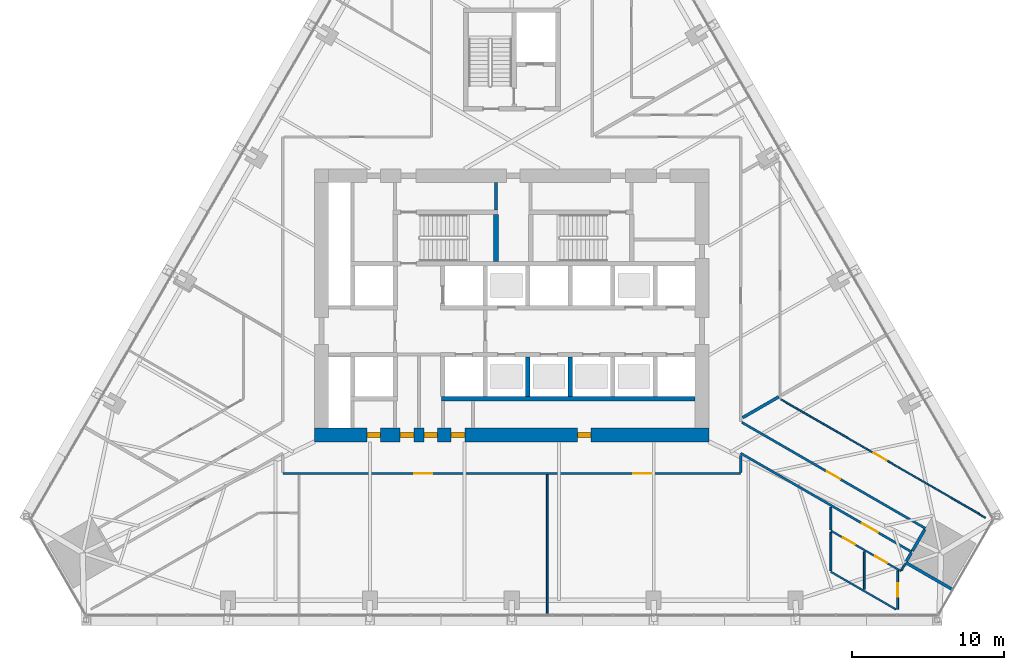
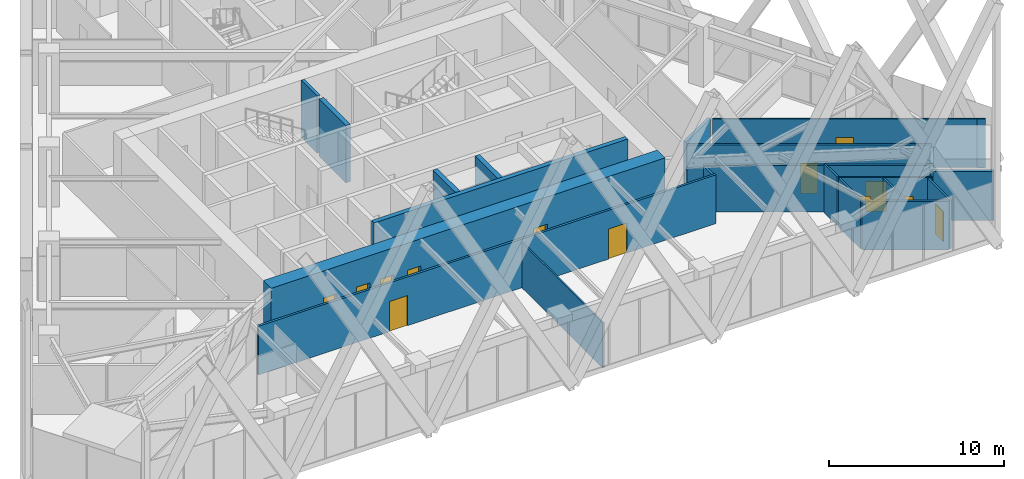
# One storey, part 16 of 21: 24 walls, 13 doors, 13 openings.
"""IFC4 building model written with IfcOpenShell, lengths in metres."""

from ifc_helpers import new_model, si_unit, direction, frame, frame_2d, origin, place, context, subcontext, project, spatial, rectangle, extrude, material, layer, layer_set, type_object, element, fill, save


model = new_model("IFC4")

# Units and contexts
model_context = context("Model", 3, precision=1e-05, world=origin(), true_north=direction((0.0, 1.0)))
body_context = subcontext(model_context, "Body", "Model", "MODEL_VIEW")
ifc_project = project(units=[si_unit("LENGTHUNIT", "METRE"), si_unit("AREAUNIT", "SQUARE_METRE"), si_unit("VOLUMEUNIT", "CUBIC_METRE"), si_unit("PLANEANGLEUNIT", "RADIAN"), si_unit("MASSUNIT", "GRAM", prefix="KILO")], contexts=[model_context])

# Site, building, storey
site_placement = place(None, origin())
site = spatial("IfcSite", under=ifc_project, at=site_placement, CompositionType="ELEMENT")
building_placement = place(site_placement, origin())
building = spatial("IfcBuilding", under=site, at=building_placement, Name="Firuza Gate Tower and Library", CompositionType="ELEMENT")
storey_placement = place(building_placement, frame((0.0, 0.0, 107.199951171875)))
storey = spatial("IfcBuildingStorey", under=building, at=storey_placement, Name="L24", CompositionType="ELEMENT", Elevation=107.199951171875)

# Walls
ifc_material_1 = material(Name="Plasterboard on steel studs", Category="steel")
ifc_layer_1 = layer(ifc_material_1, 0.199951171875)
ifc_layer_set_1 = layer_set([ifc_layer_1], Name="Core partition 200 EI 60")
wall_type_1 = type_object("IfcWallType", Name="Core partition 200 EI 60", PredefinedType="PARTITIONING", material=ifc_layer_set_1)
wall_1_placement = place(storey_placement, frame((73.9599609375, 81.280029296875, 0.0), z_axis=(0.0, 0.0, 1.0), x_axis=(0.0, 1.0, 0.0)))
element("IfcWall", 1, at=wall_1_placement, inside=storey, type_object=wall_type_1, Name="Core partition L24 14", PredefinedType="PARTITIONING", context=body_context, shape_type="SweptSolid", body=[
    extrude(rectangle(XDim=1.820068359375, YDim=0.199951171875, at=frame_2d((0.91015625, 0.0))), origin(), (0.0, 0.0, 1.0), 4.0),
])
ifc_material_2 = material(Name="Concrete C80/95", Category="concrete")
ifc_layer_2 = layer(ifc_material_2, 0.300048828125)
ifc_layer_set_2 = layer_set([ifc_layer_2], Name="Core wall 300 C80/95")
wall_type_2 = type_object("IfcWallType", Name="Core wall 300 C80/95", PredefinedType="SHEAR", material=ifc_layer_set_2)
wall_2_placement = place(storey_placement, frame((70.35009765625, 68.85009765625, 0.0), z_axis=(0.0, 0.0, 1.0), x_axis=(1.0, 0.0, 0.0)))
element("IfcWall", 2, at=wall_2_placement, inside=storey, type_object=wall_type_2, Name="Core wall L24 6", PredefinedType="SHEAR", context=body_context, shape_type="SweptSolid", body=[
    extrude(rectangle(XDim=16.75, YDim=0.300048828125, at=frame_2d((8.375, 0.0))), origin(), (0.0, 0.0, 1.0), 4.0),
])
for number, where, z_axis, x_axis, name in (
    (3, (76.050048828125, 69.0, 0.0), (0.0, 0.0, 1.0), (0.0, 1.0, 0.0), "Core wall L24 19"),
    (4, (78.85009765625, 69.0, 0.0), (0.0, 0.0, 1.0), (0.0, 1.0, 0.0), "Core wall L24 21"),
):
    element("IfcWall", number, at=place(storey_placement, frame(where, z_axis=z_axis, x_axis=x_axis)), inside=storey, type_object=wall_type_2, Name=name, PredefinedType="SHEAR", context=body_context, shape_type="SweptSolid", body=[
        extrude(rectangle(XDim=2.60009765625, YDim=0.300048828125, at=frame_2d((1.300048828125, 0.0))), origin(), (0.0, 0.0, 1.0), 4.0),
    ])
wall_3_placement = place(storey_placement, frame((73.9599609375, 77.89990234375, 0.0), z_axis=(0.0, 0.0, 1.0), x_axis=(0.0, 1.0, 0.0)))
element("IfcWall", 5, at=wall_3_placement, inside=storey, type_object=wall_type_2, Name="Core wall L24 31", PredefinedType="SHEAR", context=body_context, shape_type="SweptSolid", body=[
    extrude(rectangle(XDim=3.080078125, YDim=0.300048828125, at=frame_2d((1.5400390625, 0.0))), origin(), (0.0, 0.0, 1.0), 4.0),
])

# Wall, openings, doors
ifc_material_3 = material(Name="Concrete C80/95", Category="concrete")
ifc_layer_3 = layer(ifc_material_3, 0.89990234375)
ifc_layer_set_3 = layer_set([ifc_layer_3], Name="Core wall 900 C80/95")
wall_type_3 = type_object("IfcWallType", Name="Core wall 900 C80/95", PredefinedType="SHEAR", material=ifc_layer_set_3)
wall_4_placement = place(storey_placement, frame((62.0, 66.449951171875, 0.0), z_axis=(0.0, 0.0, 1.0), x_axis=(1.0, 0.0, 0.0)))
wall_4 = element("IfcWall", 6, at=wall_4_placement, inside=storey, type_object=wall_type_3, Name="Core wall L24 1", PredefinedType="SHEAR", context=body_context, shape_type="SweptSolid", body=[
    extrude(rectangle(XDim=26.0, YDim=0.89990234375, at=frame_2d((13.0, 0.0))), origin(), (0.0, 0.0, 1.0), 4.0),
])
opening_1_placement = place(wall_4_placement, frame((3.449951171875, 0.0, 0.0)))
opening_1 = element("IfcOpeningElement", 7, at=opening_1_placement, cuts=wall_4, Name="Opening L24-K24", PredefinedType="OPENING", context=body_context, shape_type="SweptSolid", body=[
    extrude(rectangle(XDim=0.89990234375, YDim=2.10009765625, at=frame_2d((0.449951171875, 1.050048828125))), frame((0.0, 0.4599609375, 0.0), z_axis=(0.0, -1.0, 0.0), x_axis=(1.0, 0.0, 0.0)), (0.0, 0.0, 1.0), 0.919921875),
])
opening_2_placement = place(wall_4_placement, frame((5.637451171875, 0.0, 0.0)))
opening_2 = element("IfcOpeningElement", 8, at=opening_2_placement, cuts=wall_4, Name="Opening L24-K25", PredefinedType="OPENING", context=body_context, shape_type="SweptSolid", body=[
    extrude(rectangle(XDim=0.89990234375, YDim=2.10009765625, at=frame_2d((0.449951171875, 1.050048828125))), frame((0.0, 0.4599609375, 0.0), z_axis=(0.0, -1.0, 0.0), x_axis=(1.0, 0.0, 0.0)), (0.0, 0.0, 1.0), 0.919921875),
])
opening_3_placement = place(wall_4_placement, frame((7.21240234375, 0.0, 0.0)))
opening_3 = element("IfcOpeningElement", 9, at=opening_3_placement, cuts=wall_4, Name="Opening L24-K26", PredefinedType="OPENING", context=body_context, shape_type="SweptSolid", body=[
    extrude(rectangle(XDim=0.89990234375, YDim=2.10009765625, at=frame_2d((0.449951171875, 1.050048828125))), frame((0.0, 0.4599609375, 0.0), z_axis=(0.0, -1.0, 0.0), x_axis=(1.0, 0.0, 0.0)), (0.0, 0.0, 1.0), 0.919921875),
])
opening_4_placement = place(wall_4_placement, frame((8.9990234375, 0.0, 0.0)))
opening_4 = element("IfcOpeningElement", 10, at=opening_4_placement, cuts=wall_4, Name="Opening L24-K27", PredefinedType="OPENING", context=body_context, shape_type="SweptSolid", body=[
    extrude(rectangle(XDim=0.89990234375, YDim=2.10009765625, at=frame_2d((0.449951171875, 1.050048828125))), frame((0.0, 0.4599609375, 0.0), z_axis=(0.0, -1.0, 0.0), x_axis=(1.0, 0.0, 0.0)), (0.0, 0.0, 1.0), 0.919921875),
])
opening_5_placement = place(wall_4_placement, frame((17.323974609375, 0.0, 0.0)))
opening_5 = element("IfcOpeningElement", 11, at=opening_5_placement, cuts=wall_4, Name="Opening L24-K28", PredefinedType="OPENING", context=body_context, shape_type="SweptSolid", body=[
    extrude(rectangle(XDim=0.89990234375, YDim=2.10009765625, at=frame_2d((0.449951171875, 1.050048828125))), frame((0.0, 0.4599609375, 0.0), z_axis=(0.0, -1.0, 0.0), x_axis=(1.0, 0.0, 0.0)), (0.0, 0.0, 1.0), 0.919921875),
])
ifc_material_4 = material(Name="Steel", Category="steel")
door_type_1 = type_object("IfcDoorType", Name="Fire door 900x2100 FD30S", OperationType="NOTDEFINED", PredefinedType="DOOR", material=ifc_material_4)
door_1_placement = place(opening_1_placement, origin())
door_1 = element("IfcDoor", 12, at=door_1_placement, inside=storey, type_object=door_type_1, Name="Door L24-K24", OperationType="SINGLE_SWING_LEFT", OverallHeight=2.10009765625, OverallWidth=0.89990234375, PredefinedType="DOOR", context=body_context, shape_type="SweptSolid", body=[
    extrude(rectangle(XDim=0.89990234375, YDim=2.10009765625, at=frame_2d((0.449951171875, 1.050048828125))), frame((0.0, 0.169921875, 0.0), z_axis=(0.0, -1.0, 0.0), x_axis=(1.0, 0.0, 0.0)), (0.0, 0.0, 1.0), 0.33984375),
])
fill(opening_1, door_1)
door_2_placement = place(opening_2_placement, origin())
door_2 = element("IfcDoor", 13, at=door_2_placement, inside=storey, type_object=door_type_1, Name="Door L24-K25", OperationType="SINGLE_SWING_RIGHT", OverallHeight=2.10009765625, OverallWidth=0.89990234375, PredefinedType="DOOR", context=body_context, shape_type="SweptSolid", body=[
    extrude(rectangle(XDim=0.89990234375, YDim=2.10009765625, at=frame_2d((0.449951171875, 1.050048828125))), frame((0.0, 0.169921875, 0.0), z_axis=(0.0, -1.0, 0.0), x_axis=(1.0, 0.0, 0.0)), (0.0, 0.0, 1.0), 0.33984375),
])
fill(opening_2, door_2)
door_3_placement = place(opening_3_placement, origin())
door_3 = element("IfcDoor", 14, at=door_3_placement, inside=storey, type_object=door_type_1, Name="Door L24-K26", OperationType="SINGLE_SWING_LEFT", OverallHeight=2.10009765625, OverallWidth=0.89990234375, PredefinedType="DOOR", context=body_context, shape_type="SweptSolid", body=[
    extrude(rectangle(XDim=0.89990234375, YDim=2.10009765625, at=frame_2d((0.449951171875, 1.050048828125))), frame((0.0, 0.169921875, 0.0), z_axis=(0.0, -1.0, 0.0), x_axis=(1.0, 0.0, 0.0)), (0.0, 0.0, 1.0), 0.33984375),
])
fill(opening_3, door_3)
door_4_placement = place(opening_4_placement, origin())
door_4 = element("IfcDoor", 15, at=door_4_placement, inside=storey, type_object=door_type_1, Name="Door L24-K27", OperationType="SINGLE_SWING_RIGHT", OverallHeight=2.10009765625, OverallWidth=0.89990234375, PredefinedType="DOOR", context=body_context, shape_type="SweptSolid", body=[
    extrude(rectangle(XDim=0.89990234375, YDim=2.10009765625, at=frame_2d((0.449951171875, 1.050048828125))), frame((0.0, 0.169921875, 0.0), z_axis=(0.0, -1.0, 0.0), x_axis=(1.0, 0.0, 0.0)), (0.0, 0.0, 1.0), 0.33984375),
])
fill(opening_4, door_4)
door_5_placement = place(opening_5_placement, origin())
door_5 = element("IfcDoor", 16, at=door_5_placement, inside=storey, type_object=door_type_1, Name="Door L24-K28", OperationType="SINGLE_SWING_LEFT", OverallHeight=2.10009765625, OverallWidth=0.89990234375, PredefinedType="DOOR", context=body_context, shape_type="SweptSolid", body=[
    extrude(rectangle(XDim=0.89990234375, YDim=2.10009765625, at=frame_2d((0.449951171875, 1.050048828125))), frame((0.0, 0.169921875, 0.0), z_axis=(0.0, -1.0, 0.0), x_axis=(1.0, 0.0, 0.0)), (0.0, 0.0, 1.0), 0.33984375),
])
fill(opening_5, door_5)

ifc_material_5 = material(Name="Gypsum board partition")
ifc_layer_4 = layer(ifc_material_5, 0.14990234375)
ifc_layer_set_4 = layer_set([ifc_layer_4], Name="Corridor wall 150 double board on steel studs")
wall_type_4 = type_object("IfcWallType", Name="Corridor wall 150 double board on steel studs", PredefinedType="PARTITIONING", material=ifc_layer_set_4)
wall_5_placement = place(storey_placement, frame((90.099365234375, 63.89990234375, 0.0), z_axis=(0.0, 0.0, 1.0), x_axis=(-1.0, 0.0, 0.0)))
wall_5 = element("IfcWall", 17, at=wall_5_placement, inside=storey, type_object=wall_type_4, Name="f:L24:w001", PredefinedType="PARTITIONING", context=body_context, shape_type="SweptSolid", body=[
    extrude(rectangle(XDim=30.19873046875, YDim=0.14990234375, at=frame_2d((15.099365234375, 0.0))), origin(), (0.0, 0.0, 1.0), 3.400146484375),
])
opening_6_placement = place(wall_5_placement, frame((5.882080078125, 0.0, 0.0)))
opening_6 = element("IfcOpeningElement", 18, at=opening_6_placement, cuts=wall_5, Name="Opening L24-02", PredefinedType="OPENING", context=body_context, shape_type="SweptSolid", body=[
    extrude(rectangle(XDim=1.199951171875, YDim=2.10009765625, at=frame_2d((0.60009765625, 1.050048828125))), frame((0.0, 0.0849609375, 0.0), z_axis=(0.0, -1.0, 0.0), x_axis=(1.0, 0.0, 0.0)), (0.0, 0.0, 1.0), 0.169921875),
])
opening_7_placement = place(wall_5_placement, frame((20.345947265625, 0.0, 0.0)))
opening_7 = element("IfcOpeningElement", 19, at=opening_7_placement, cuts=wall_5, Name="Opening L24-03", PredefinedType="OPENING", context=body_context, shape_type="SweptSolid", body=[
    extrude(rectangle(XDim=1.199951171875, YDim=2.10009765625, at=frame_2d((0.60009765625, 1.050048828125))), frame((0.0, 0.0849609375, 0.0), z_axis=(0.0, -1.0, 0.0), x_axis=(1.0, 0.0, 0.0)), (0.0, 0.0, 1.0), 0.169921875),
])
ifc_material_6 = material(Name="Steel door and timber leaf", Category="steel")
door_type_2 = type_object("IfcDoorType", Name="Fire door 1200 x 2100 steel frame, double leaf", OperationType="NOTDEFINED", PredefinedType="DOOR", material=ifc_material_6)
door_6_placement = place(opening_6_placement, origin())
door_6 = element("IfcDoor", 20, at=door_6_placement, inside=storey, type_object=door_type_2, Name="f:L24:d002", OperationType="DOUBLE_DOOR_SINGLE_SWING", OverallHeight=2.10009765625, OverallWidth=1.199951171875, PredefinedType="DOOR", context=body_context, shape_type="SweptSolid", body=[
    extrude(rectangle(XDim=1.199951171875, YDim=2.10009765625, at=frame_2d((0.60009765625, 1.050048828125))), frame((0.0, 0.02490234375, 0.0), z_axis=(0.0, -1.0, 0.0), x_axis=(1.0, 0.0, 0.0)), (0.0, 0.0, 1.0), 0.050048828125),
])
fill(opening_6, door_6)
door_7_placement = place(opening_7_placement, origin())
door_7 = element("IfcDoor", 21, at=door_7_placement, inside=storey, type_object=door_type_2, Name="f:L24:d003", OperationType="DOUBLE_DOOR_SINGLE_SWING", OverallHeight=2.10009765625, OverallWidth=1.199951171875, PredefinedType="DOOR", context=body_context, shape_type="SweptSolid", body=[
    extrude(rectangle(XDim=1.199951171875, YDim=2.10009765625, at=frame_2d((0.60009765625, 1.050048828125))), frame((0.0, 0.02490234375, 0.0), z_axis=(0.0, -1.0, 0.0), x_axis=(1.0, 0.0, 0.0)), (0.0, 0.0, 1.0), 0.050048828125),
])
fill(opening_7, door_7)

# Wall
wall_6_placement = place(storey_placement, frame((90.10009765625, 63.9755859375, 0.0), z_axis=(0.0, 0.0, 1.0), x_axis=(0.0, 1.0, 0.0)))
element("IfcWall", 22, at=wall_6_placement, inside=storey, type_object=wall_type_4, Name="f:L24:w032", PredefinedType="PARTITIONING", context=body_context, shape_type="SweptSolid", body=[
    extrude(rectangle(XDim=1.130615234375, YDim=0.14990234375, at=frame_2d((0.5654296875, 0.0))), origin(), (0.0, 0.0, 1.0), 3.2470703125),
])

# Wall, opening, door
wall_7_placement = place(storey_placement, frame((90.175048828125, 67.278076171875, 0.0), z_axis=(0.0, 0.0, 1.0), x_axis=(0.866025916507, -0.499999111938, 0.0)))
wall_7 = element("IfcWall", 23, at=wall_7_placement, inside=storey, type_object=wall_type_4, Name="f:L24:w059", PredefinedType="PARTITIONING", context=body_context, shape_type="SweptSolid", body=[
    extrude(rectangle(XDim=13.97900390625, YDim=0.14990234375, at=frame_2d((6.989501953125, 0.0))), origin(), (0.0, 0.0, 1.0), 3.400146484375),
])
opening_8_placement = place(wall_7_placement, frame((6.489501953125, 0.0, 0.0)))
opening_8 = element("IfcOpeningElement", 24, at=opening_8_placement, cuts=wall_7, Name="Opening L24-24", PredefinedType="OPENING", context=body_context, shape_type="SweptSolid", body=[
    extrude(rectangle(XDim=1.0, YDim=2.10009765625, at=frame_2d((0.5, 1.050048828125))), frame((0.0, 0.0849609375, 0.0), z_axis=(0.0, -1.0, 0.0), x_axis=(1.0, 0.0, 0.0)), (0.0, 0.0, 1.0), 0.169921875),
])
ifc_material_7 = material(Name="Steel door and timber leaf", Category="steel")
door_type_3 = type_object("IfcDoorType", Name="Fire door 1000 x 2100 steel frame, timber leaf", OperationType="NOTDEFINED", PredefinedType="DOOR", material=ifc_material_7)
door_8_placement = place(opening_8_placement, origin())
door_8 = element("IfcDoor", 25, at=door_8_placement, inside=storey, type_object=door_type_3, Name="f:L24:d024", OperationType="SINGLE_SWING_LEFT", OverallHeight=2.10009765625, OverallWidth=1.0, PredefinedType="DOOR", context=body_context, shape_type="SweptSolid", body=[
    extrude(rectangle(XDim=1.0, YDim=2.10009765625, at=frame_2d((0.5, 1.050048828125))), frame((0.0, 0.02490234375, 0.0), z_axis=(0.0, -1.0, 0.0), x_axis=(1.0, 0.0, 0.0)), (0.0, 0.0, 1.0), 0.050048828125),
])
fill(opening_8, door_8)

wall_8_placement = place(storey_placement, frame((101.381591796875, 58.7294921875, 0.0), z_axis=(0.0, 0.0, 1.0), x_axis=(-0.866023606965, 0.500003112169, 0.0)))
wall_8 = element("IfcWall", 26, at=wall_8_placement, inside=storey, type_object=wall_type_4, Name="f:L24:w060", PredefinedType="PARTITIONING", context=body_context, shape_type="SweptSolid", body=[
    extrude(rectangle(XDim=13.02685546875, YDim=0.14990234375, at=frame_2d((6.513427734375, 0.0))), origin(), (0.0, 0.0, 1.0), 3.2470703125),
])
opening_9_placement = place(wall_8_placement, frame((2.581298828125, 0.0, 0.0)))
opening_9 = element("IfcOpeningElement", 27, at=opening_9_placement, cuts=wall_8, Name="Opening L24-25", PredefinedType="OPENING", context=body_context, shape_type="SweptSolid", body=[
    extrude(rectangle(XDim=1.199951171875, YDim=2.10009765625, at=frame_2d((0.60009765625, 1.050048828125))), frame((0.0, 0.0849609375, 0.0), z_axis=(0.0, -1.0, 0.0), x_axis=(1.0, 0.0, 0.0)), (0.0, 0.0, 1.0), 0.169921875),
])
door_9_placement = place(opening_9_placement, origin())
door_9 = element("IfcDoor", 28, at=door_9_placement, inside=storey, type_object=door_type_2, Name="f:L24:d025", OperationType="DOUBLE_DOOR_SINGLE_SWING", OverallHeight=2.10009765625, OverallWidth=1.199951171875, PredefinedType="DOOR", context=body_context, shape_type="SweptSolid", body=[
    extrude(rectangle(XDim=1.199951171875, YDim=2.10009765625, at=frame_2d((0.60009765625, 1.050048828125))), frame((0.0, 0.02490234375, 0.0), z_axis=(0.0, -1.0, 0.0), x_axis=(1.0, 0.0, 0.0)), (0.0, 0.0, 1.0), 0.050048828125),
])
fill(opening_9, door_9)

# Walls
ifc_material_8 = material(Name="Gypsum board partition")
ifc_layer_5 = layer(ifc_material_8, 0.199951171875)
ifc_layer_set_5 = layer_set([ifc_layer_5], Name="Demising wall 200 acoustic double stud")
wall_type_5 = type_object("IfcWallType", Name="Demising wall 200 acoustic double stud", PredefinedType="PARTITIONING", material=ifc_layer_set_5)
wall_9_placement = place(storey_placement, frame((90.226806640625, 67.589599609375, 0.0), z_axis=(0.0, 0.0, 1.0), x_axis=(0.866003105128, 0.500038620418, 0.0)))
element("IfcWall", 29, at=wall_9_placement, inside=storey, type_object=wall_type_5, Name="f:L24:w011", PredefinedType="PARTITIONING", context=body_context, shape_type="SweptSolid", body=[
    extrude(rectangle(XDim=2.740478515625, YDim=0.199951171875, at=frame_2d((1.3701171875, 0.0))), origin(), (0.0, 0.0, 1.0), 3.400146484375),
])
wall_10_placement = place(storey_placement, frame((101.031494140625, 58.123779296875, 0.0), z_axis=(0.0, 0.0, 1.0), x_axis=(0.500049599607, 0.865996765544, 0.0)))
element("IfcWall", 30, at=wall_10_placement, inside=storey, type_object=wall_type_5, Name="f:L24:w025", PredefinedType="PARTITIONING", context=body_context, shape_type="SweptSolid", body=[
    extrude(rectangle(XDim=0.62451171875, YDim=0.199951171875, at=frame_2d((0.312255859375, 0.0))), origin(), (0.0, 0.0, 1.0), 3.400146484375),
])
wall_11_placement = place(storey_placement, frame((104.064697265625, 56.256591796875, 0.0), z_axis=(0.0, 0.0, 1.0), x_axis=(-0.866034141321, 0.499984865837, 0.0)))
element("IfcWall", 31, at=wall_11_placement, inside=storey, type_object=wall_type_5, Name="f:L24:w061", PredefinedType="PARTITIONING", context=body_context, shape_type="SweptSolid", body=[
    extrude(rectangle(XDim=3.54345703125, YDim=0.199951171875, at=frame_2d((1.771728515625, 0.0))), origin(), (0.0, 0.0, 1.0), 3.400146484375),
])
wall_12_placement = place(storey_placement, frame((101.4189453125, 58.794677734375, 0.0), z_axis=(0.0, 0.0, 1.0), x_axis=(0.499944585209, 0.866057395165, 0.0)))
element("IfcWall", 32, at=wall_12_placement, inside=storey, type_object=wall_type_5, Name="f:L24:w072", PredefinedType="PARTITIONING", context=body_context, shape_type="SweptSolid", body=[
    extrude(rectangle(XDim=1.649169921875, YDim=0.199951171875, at=frame_2d((0.82470703125, 0.0))), origin(), (0.0, 0.0, 1.0), 3.2470703125),
])
ifc_material_9 = material(Name="Gypsum board partition")
ifc_layer_6 = layer(ifc_material_9, 0.10009765625)
ifc_layer_set_6 = layer_set([ifc_layer_6], Name="Partition 100 gypsum board on steel studs")
wall_type_6 = type_object("IfcWallType", Name="Partition 100 gypsum board on steel studs", PredefinedType="PARTITIONING", material=ifc_layer_set_6)
wall_13_placement = place(storey_placement, frame((77.339111328125, 54.5810546875, 0.0), z_axis=(0.0, 0.0, 1.0), x_axis=(0.0, 1.0, 0.0)))
element("IfcWall", 33, at=wall_13_placement, inside=storey, type_object=wall_type_6, Name="f:L24:w038", PredefinedType="PARTITIONING", context=body_context, shape_type="SweptSolid", body=[
    extrude(rectangle(XDim=9.243896484375, YDim=0.10009765625, at=frame_2d((4.6220703125, 0.0))), origin(), (0.0, 0.0, 1.0), 3.1650390625),
])

# Wall, opening, door
wall_14_placement = place(storey_placement, frame((105.833251953125, 61.239990234375, 0.0), z_axis=(0.0, 0.0, 1.0), x_axis=(-0.866025727262, 0.499999439721, 0.0)))
wall_14 = element("IfcWall", 34, at=wall_14_placement, inside=storey, type_object=wall_type_6, Name="f:L24:w057", PredefinedType="PARTITIONING", context=body_context, shape_type="SweptSolid", body=[
    extrude(rectangle(XDim=15.10693359375, YDim=0.10009765625, at=frame_2d((7.553466796875, 0.0))), origin(), (0.0, 0.0, 1.0), 3.400146484375),
])
opening_10_placement = place(wall_14_placement, frame((7.053466796875, 0.0, 0.0)))
opening_10 = element("IfcOpeningElement", 35, at=opening_10_placement, cuts=wall_14, Name="Opening L24-23", PredefinedType="OPENING", context=body_context, shape_type="SweptSolid", body=[
    extrude(rectangle(XDim=1.0, YDim=2.10009765625, at=frame_2d((0.5, 1.050048828125))), frame((0.0, 0.06005859375, 0.0), z_axis=(0.0, -1.0, 0.0), x_axis=(1.0, 0.0, 0.0)), (0.0, 0.0, 1.0), 0.1201171875),
])
ifc_material_10 = material(Name="Timber door", Category="wood")
door_type_4 = type_object("IfcDoorType", Name="Door 1000 x 2100 timber leaf", OperationType="NOTDEFINED", PredefinedType="DOOR", material=ifc_material_10)
door_10_placement = place(opening_10_placement, origin())
door_10 = element("IfcDoor", 36, at=door_10_placement, inside=storey, type_object=door_type_4, Name="f:L24:d023", OperationType="SINGLE_SWING_LEFT", OverallHeight=2.10009765625, OverallWidth=1.0, PredefinedType="DOOR", context=body_context, shape_type="SweptSolid", body=[
    extrude(rectangle(XDim=1.0, YDim=2.10009765625, at=frame_2d((0.5, 1.050048828125))), frame((0.0, 0.02490234375, 0.0), z_axis=(0.0, -1.0, 0.0), x_axis=(1.0, 0.0, 0.0)), (0.0, 0.0, 1.0), 0.050048828125),
])
fill(opening_10, door_10)

# Walls
wall_15_placement = place(storey_placement, frame((106.233154296875, 60.986083984375, 0.0), z_axis=(0.0, 0.0, 1.0), x_axis=(-0.866073792734, 0.499916178513, 0.0)))
element("IfcWall", 37, at=wall_15_placement, inside=storey, type_object=wall_type_6, Name="f:L24:w058", PredefinedType="PARTITIONING", context=body_context, shape_type="SweptSolid", body=[
    extrude(rectangle(XDim=0.47265625, YDim=0.10009765625, at=frame_2d((0.236328125, 0.0))), origin(), (0.0, 0.0, 1.0), 3.400146484375),
])
ifc_material_11 = material(Name="Gypsum board partition")
ifc_layer_7 = layer(ifc_material_11, 0.1201171875)
ifc_layer_set_7 = layer_set([ifc_layer_7], Name="Wet-area partition 120 moisture-resistant board")
wall_type_7 = type_object("IfcWallType", Name="Wet-area partition 120 moisture-resistant board", PredefinedType="PARTITIONING", material=ifc_layer_set_7)
wall_16_placement = place(storey_placement, frame((100.703857421875, 57.51611328125, 0.0), z_axis=(0.0, 0.0, 1.0), x_axis=(0.499679281737, 0.866210491395, 0.0)))
element("IfcWall", 38, at=wall_16_placement, inside=storey, type_object=wall_type_7, Name="f:L24:w024", PredefinedType="PARTITIONING", context=body_context, shape_type="SweptSolid", body=[
    extrude(rectangle(XDim=0.489501953125, YDim=0.1201171875, at=frame_2d((0.24462890625, 0.0))), origin(), (0.0, 0.0, 1.0), 3.400146484375),
])

# Wall, opening, door
wall_17_placement = place(storey_placement, frame((100.449951171875, 54.941162109375, 0.0), z_axis=(0.0, 0.0, 1.0), x_axis=(0.0, 1.0, 0.0)))
wall_17 = element("IfcWall", 39, at=wall_17_placement, inside=storey, type_object=wall_type_7, Name="f:L24:w028", PredefinedType="PARTITIONING", context=body_context, shape_type="SweptSolid", body=[
    extrude(rectangle(XDim=2.542236328125, YDim=0.1201171875, at=frame_2d((1.27099609375, 0.0))), origin(), (0.0, 0.0, 1.0), 3.400146484375),
])
opening_11_placement = place(wall_17_placement, frame((0.821044921875, 0.0, 0.0)))
opening_11 = element("IfcOpeningElement", 40, at=opening_11_placement, cuts=wall_17, Name="Opening L24-15", PredefinedType="OPENING", context=body_context, shape_type="SweptSolid", body=[
    extrude(rectangle(XDim=0.89990234375, YDim=2.10009765625, at=frame_2d((0.449951171875, 1.050048828125))), frame((0.0, 0.070068359375, 0.0), z_axis=(0.0, -1.0, 0.0), x_axis=(1.0, 0.0, 0.0)), (0.0, 0.0, 1.0), 0.14013671875),
])
ifc_material_12 = material(Name="Timber door", Category="wood")
door_type_5 = type_object("IfcDoorType", Name="Door 900 x 2100 timber leaf", OperationType="NOTDEFINED", PredefinedType="DOOR", material=ifc_material_12)
door_11_placement = place(opening_11_placement, origin())
door_11 = element("IfcDoor", 41, at=door_11_placement, inside=storey, type_object=door_type_5, Name="f:L24:d015", OperationType="SINGLE_SWING_RIGHT", OverallHeight=2.10009765625, OverallWidth=0.89990234375, PredefinedType="DOOR", context=body_context, shape_type="SweptSolid", body=[
    extrude(rectangle(XDim=0.89990234375, YDim=2.10009765625, at=frame_2d((0.449951171875, 1.050048828125))), frame((0.0, 0.02490234375, 0.0), z_axis=(0.0, -1.0, 0.0), x_axis=(1.0, 0.0, 0.0)), (0.0, 0.0, 1.0), 0.050048828125),
])
fill(opening_11, door_11)

# Walls
wall_18_placement = place(storey_placement, frame((98.2490234375, 56.259521484375, 0.0), z_axis=(0.0, 0.0, 1.0), x_axis=(0.0, 1.0, 0.0)))
element("IfcWall", 42, at=wall_18_placement, inside=storey, type_object=wall_type_7, Name="f:L24:w029", PredefinedType="PARTITIONING", context=body_context, shape_type="SweptSolid", body=[
    extrude(rectangle(XDim=2.4951171875, YDim=0.1201171875, at=frame_2d((1.24755859375, 0.0))), origin(), (0.0, 0.0, 1.0), 3.400146484375),
])
wall_19_placement = place(storey_placement, frame((96.047119140625, 57.49072265625, 0.0), z_axis=(0.0, 0.0, 1.0), x_axis=(0.0, 1.0, 0.0)))
element("IfcWall", 43, at=wall_19_placement, inside=storey, type_object=wall_type_7, Name="f:L24:w030", PredefinedType="PARTITIONING", context=body_context, shape_type="SweptSolid", body=[
    extrude(rectangle(XDim=2.54052734375, YDim=0.1201171875, at=frame_2d((1.270263671875, 0.0))), origin(), (0.0, 0.0, 1.0), 3.400146484375),
])

# Wall, openings, doors
wall_20_placement = place(storey_placement, frame((96.047119140625, 60.135009765625, 0.0), z_axis=(0.0, 0.0, 1.0), x_axis=(0.866018138487, -0.500012583653, 0.0)))
wall_20 = element("IfcWall", 44, at=wall_20_placement, inside=storey, type_object=wall_type_7, Name="f:L24:w062", PredefinedType="PARTITIONING", context=body_context, shape_type="SweptSolid", body=[
    extrude(rectangle(XDim=5.341552734375, YDim=0.1201171875, at=frame_2d((2.6708984375, 0.0))), origin(), (0.0, 0.0, 1.0), 3.400146484375),
])
opening_12_placement = place(wall_20_placement, frame((0.9228515625, 0.0, 0.0)))
opening_12 = element("IfcOpeningElement", 45, at=opening_12_placement, cuts=wall_20, Name="Opening L24-26", PredefinedType="OPENING", context=body_context, shape_type="SweptSolid", body=[
    extrude(rectangle(XDim=0.89990234375, YDim=2.10009765625, at=frame_2d((0.449951171875, 1.050048828125))), frame((0.0, 0.070068359375, 0.0), z_axis=(0.0, -1.0, 0.0), x_axis=(1.0, 0.0, 0.0)), (0.0, 0.0, 1.0), 0.14013671875),
])
opening_13_placement = place(wall_20_placement, frame((3.363525390625, 0.0, 0.0)))
opening_13 = element("IfcOpeningElement", 46, at=opening_13_placement, cuts=wall_20, Name="Opening L24-27", PredefinedType="OPENING", context=body_context, shape_type="SweptSolid", body=[
    extrude(rectangle(XDim=0.89990234375, YDim=2.10009765625, at=frame_2d((0.449951171875, 1.050048828125))), frame((0.0, 0.070068359375, 0.0), z_axis=(0.0, -1.0, 0.0), x_axis=(1.0, 0.0, 0.0)), (0.0, 0.0, 1.0), 0.14013671875),
])
door_12_placement = place(opening_12_placement, origin())
door_12 = element("IfcDoor", 47, at=door_12_placement, inside=storey, type_object=door_type_5, Name="f:L24:d026", OperationType="SINGLE_SWING_LEFT", OverallHeight=2.10009765625, OverallWidth=0.89990234375, PredefinedType="DOOR", context=body_context, shape_type="SweptSolid", body=[
    extrude(rectangle(XDim=0.89990234375, YDim=2.10009765625, at=frame_2d((0.449951171875, 1.050048828125))), frame((0.0, 0.02490234375, 0.0), z_axis=(0.0, -1.0, 0.0), x_axis=(1.0, 0.0, 0.0)), (0.0, 0.0, 1.0), 0.050048828125),
])
fill(opening_12, door_12)
door_13_placement = place(opening_13_placement, origin())
door_13 = element("IfcDoor", 48, at=door_13_placement, inside=storey, type_object=door_type_5, Name="f:L24:d027", OperationType="SINGLE_SWING_RIGHT", OverallHeight=2.10009765625, OverallWidth=0.89990234375, PredefinedType="DOOR", context=body_context, shape_type="SweptSolid", body=[
    extrude(rectangle(XDim=0.89990234375, YDim=2.10009765625, at=frame_2d((0.449951171875, 1.050048828125))), frame((0.0, 0.02490234375, 0.0), z_axis=(0.0, -1.0, 0.0), x_axis=(1.0, 0.0, 0.0)), (0.0, 0.0, 1.0), 0.050048828125),
])
fill(opening_13, door_13)

# Walls
wall_21_placement = place(storey_placement, frame((100.343017578125, 54.941162109375, 0.0), z_axis=(0.0, 0.0, 1.0), x_axis=(-0.866005271205, 0.500034869029, 0.0)))
element("IfcWall", 49, at=wall_21_placement, inside=storey, type_object=wall_type_7, Name="f:L24:w063", PredefinedType="PARTITIONING", context=body_context, shape_type="SweptSolid", body=[
    extrude(rectangle(XDim=4.960693359375, YDim=0.1201171875, at=frame_2d((2.48046875, 0.0))), origin(), (0.0, 0.0, 1.0), 3.400146484375),
])
wall_22_placement = place(storey_placement, frame((96.047119140625, 60.18701171875, 0.0), z_axis=(0.0, 0.0, 1.0), x_axis=(0.0, 1.0, 0.0)))
element("IfcWall", 50, at=wall_22_placement, inside=storey, type_object=wall_type_7, Name="f:L24:w073", PredefinedType="PARTITIONING", context=body_context, shape_type="SweptSolid", body=[
    extrude(rectangle(XDim=1.49560546875, YDim=0.1201171875, at=frame_2d((0.747802734375, 0.0))), origin(), (0.0, 0.0, 1.0), 3.400146484375),
])

save(model, "model.ifc")
